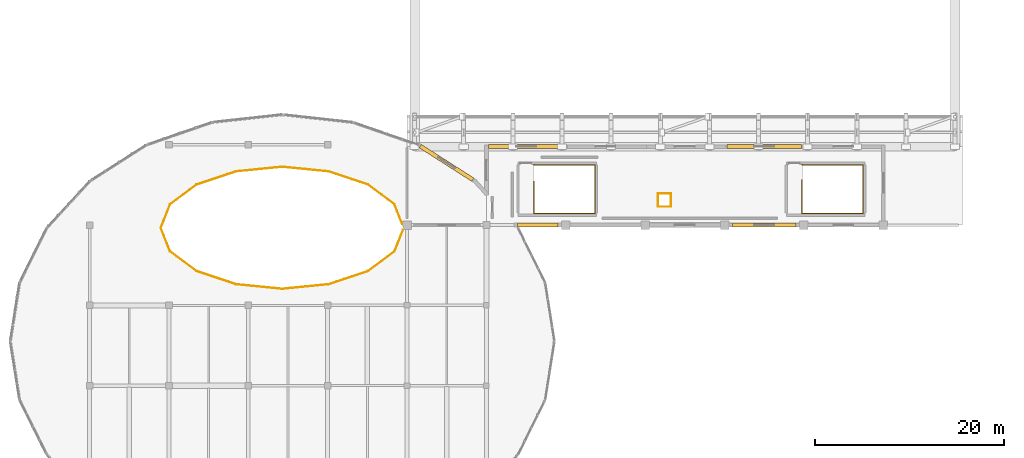
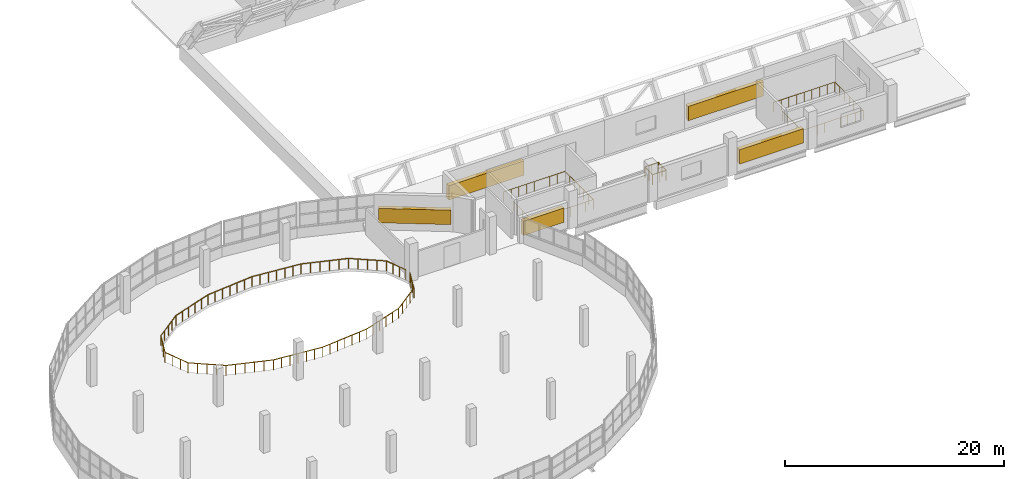
# One storey, part 48 of 52: 6 railings, 5 coverings.
"""IFC4 building model written with IfcOpenShell, lengths in metres."""

from ifc_helpers import new_model, si_unit, direction, frame, origin, origin_2d, place, context, subcontext, project, spatial, rectangle, circle, extrude, material, layer, layer_set, type_object, element, save


model = new_model("IFC4")

# Units and contexts
model_context = context("Model", 3, precision=1e-05, world=origin(), true_north=direction((0.0, 1.0)))
body_context = subcontext(model_context, "Body", "Model", "MODEL_VIEW")
ifc_project = project(units=[si_unit("LENGTHUNIT", "METRE"), si_unit("AREAUNIT", "SQUARE_METRE"), si_unit("VOLUMEUNIT", "CUBIC_METRE"), si_unit("PLANEANGLEUNIT", "RADIAN"), si_unit("MASSUNIT", "GRAM", prefix="KILO")], contexts=[model_context])

# Site, building, storey
site_placement = place(None, origin())
site = spatial("IfcSite", under=ifc_project, at=site_placement, CompositionType="ELEMENT")
building_placement = place(site_placement, origin())
building = spatial("IfcBuilding", under=site, at=building_placement, Name="Solvento Point Concert Hall", CompositionType="ELEMENT")
storey_placement = place(building_placement, frame((0.0, 0.0, 19.5)))
storey = spatial("IfcBuildingStorey", under=building, at=storey_placement, Name="L04", CompositionType="ELEMENT", Elevation=19.5)

# Railings
ifc_material_1 = material(Name="Brushed Stainless Steel Balustrade", Category="steel")
railing_type_1 = type_object("IfcRailingType", Name="StairWellGuard_1100", PredefinedType="BALUSTRADE", material=ifc_material_1)
railing_1_placement = place(storey_placement, frame((87.820068359375, 47.139892578125, 0.0)))
element("IfcRailing", 1, at=railing_1_placement, inside=storey, type_object=railing_type_1, Name="Stairwell guard GR-02 ST-06 L04", PredefinedType="BALUSTRADE", context=body_context, shape_type="SweptSolid", body=[
    extrude(circle(Radius=0.02392578125, at=origin_2d()), frame((0.0, 0.0, 1.09619140625), z_axis=(0.0, -1.0, 0.0), x_axis=(1.0, 0.0, 0.0)), (0.0, 0.0, 1.0), 3.419921875),
    extrude(circle(Radius=0.02392578125, at=origin_2d()), frame((0.0, -3.419921875, 1.09619140625), z_axis=(1.0, 0.0, 0.0), x_axis=(0.0, 1.0, 0.0)), (0.0, 0.0, 1.0), 6.4599609375),
    extrude(circle(Radius=0.02392578125, at=origin_2d()), frame((6.4599609375, -3.419921875, 1.09619140625), z_axis=(0.0, 1.0, 0.0), x_axis=(-1.0, 0.0, 0.0)), (0.0, 0.0, 1.0), 5.159912109375),
    extrude(circle(Radius=0.02392578125, at=origin_2d()), frame((6.4599609375, 1.739990234375, 1.09619140625), z_axis=(-1.0, 0.0, 0.0), x_axis=(0.0, -1.0, 0.0)), (0.0, 0.0, 1.0), 6.4599609375),
    extrude(circle(Radius=0.02392578125, at=origin_2d()), frame((0.0, 1.739990234375, 1.09619140625), z_axis=(0.0, 1.0, 0.0), x_axis=(-1.0, 0.0, 0.0)), (0.0, 0.0, 1.0), 0.02001953125),
    extrude(circle(Radius=0.02099609375, at=origin_2d()), origin(), (0.0, 0.0, 1.0), 1.072021484375),
    extrude(circle(Radius=0.02099609375, at=origin_2d()), frame((0.0, -0.85498046875, 0.0)), (0.0, 0.0, 1.0), 1.072021484375),
    extrude(circle(Radius=0.02099609375, at=origin_2d()), frame((0.0, -1.7099609375, 0.0)), (0.0, 0.0, 1.0), 1.072021484375),
    extrude(circle(Radius=0.02099609375, at=origin_2d()), frame((0.0, -2.56494140625, 0.0)), (0.0, 0.0, 1.0), 1.072021484375),
    extrude(circle(Radius=0.02099609375, at=origin_2d()), frame((0.0, -3.419921875, 0.0)), (0.0, 0.0, 1.0), 1.072021484375),
    extrude(circle(Radius=0.02099609375, at=origin_2d()), frame((0.8076171875, -3.419921875, 0.0)), (0.0, 0.0, 1.0), 1.072021484375),
    extrude(circle(Radius=0.02099609375, at=origin_2d()), frame((1.614990234375, -3.419921875, 0.0)), (0.0, 0.0, 1.0), 1.072021484375),
    extrude(circle(Radius=0.02099609375, at=origin_2d()), frame((2.42236328125, -3.419921875, 0.0)), (0.0, 0.0, 1.0), 1.072021484375),
    extrude(circle(Radius=0.02099609375, at=origin_2d()), frame((3.22998046875, -3.419921875, 0.0)), (0.0, 0.0, 1.0), 1.072021484375),
    extrude(circle(Radius=0.02099609375, at=origin_2d()), frame((4.03759765625, -3.419921875, 0.0)), (0.0, 0.0, 1.0), 1.072021484375),
    extrude(circle(Radius=0.02099609375, at=origin_2d()), frame((4.844970703125, -3.419921875, 0.0)), (0.0, 0.0, 1.0), 1.072021484375),
    extrude(circle(Radius=0.02099609375, at=origin_2d()), frame((5.65234375, -3.419921875, 0.0)), (0.0, 0.0, 1.0), 1.072021484375),
    extrude(circle(Radius=0.02099609375, at=origin_2d()), frame((6.4599609375, -3.419921875, 0.0)), (0.0, 0.0, 1.0), 1.072021484375),
    extrude(circle(Radius=0.02099609375, at=origin_2d()), frame((6.4599609375, -2.56005859375, 0.0)), (0.0, 0.0, 1.0), 1.072021484375),
    extrude(circle(Radius=0.02099609375, at=origin_2d()), frame((6.4599609375, -1.699951171875, 0.0)), (0.0, 0.0, 1.0), 1.072021484375),
    extrude(circle(Radius=0.02099609375, at=origin_2d()), frame((6.4599609375, -0.83984375, 0.0)), (0.0, 0.0, 1.0), 1.072021484375),
    extrude(circle(Radius=0.02099609375, at=origin_2d()), frame((6.4599609375, 0.02001953125, 0.0)), (0.0, 0.0, 1.0), 1.072021484375),
    extrude(circle(Radius=0.02099609375, at=origin_2d()), frame((6.4599609375, 0.8798828125, 0.0)), (0.0, 0.0, 1.0), 1.072021484375),
    extrude(circle(Radius=0.02099609375, at=origin_2d()), frame((6.4599609375, 1.739990234375, 0.0)), (0.0, 0.0, 1.0), 1.072021484375),
    extrude(circle(Radius=0.02099609375, at=origin_2d()), frame((5.65234375, 1.739990234375, 0.0)), (0.0, 0.0, 1.0), 1.072021484375),
    extrude(circle(Radius=0.02099609375, at=origin_2d()), frame((4.844970703125, 1.739990234375, 0.0)), (0.0, 0.0, 1.0), 1.072021484375),
    extrude(circle(Radius=0.02099609375, at=origin_2d()), frame((4.03759765625, 1.739990234375, 0.0)), (0.0, 0.0, 1.0), 1.072021484375),
    extrude(circle(Radius=0.02099609375, at=origin_2d()), frame((3.22998046875, 1.739990234375, 0.0)), (0.0, 0.0, 1.0), 1.072021484375),
    extrude(circle(Radius=0.02099609375, at=origin_2d()), frame((2.42236328125, 1.739990234375, 0.0)), (0.0, 0.0, 1.0), 1.072021484375),
    extrude(circle(Radius=0.02099609375, at=origin_2d()), frame((1.614990234375, 1.739990234375, 0.0)), (0.0, 0.0, 1.0), 1.072021484375),
    extrude(circle(Radius=0.02099609375, at=origin_2d()), frame((0.8076171875, 1.739990234375, 0.0)), (0.0, 0.0, 1.0), 1.072021484375),
    extrude(circle(Radius=0.02099609375, at=origin_2d()), frame((0.0, 1.739990234375, 0.0)), (0.0, 0.0, 1.0), 1.072021484375),
    extrude(circle(Radius=0.02099609375, at=origin_2d()), frame((0.0, 1.760009765625, 0.0)), (0.0, 0.0, 1.0), 1.072021484375),
])
railing_2_placement = place(storey_placement, frame((116.219970703125, 47.300048828125, 0.0)))
element("IfcRailing", 2, at=railing_2_placement, inside=storey, type_object=railing_type_1, Name="Stairwell guard GR-02 ST-07 L04", PredefinedType="BALUSTRADE", context=body_context, shape_type="SweptSolid", body=[
    extrude(circle(Radius=0.02392578125, at=origin_2d()), frame((0.0, 0.0, 1.09619140625), z_axis=(0.0, -1.0, 0.0), x_axis=(1.0, 0.0, 0.0)), (0.0, 0.0, 1.0), 3.580078125),
    extrude(circle(Radius=0.02392578125, at=origin_2d()), frame((0.0, -3.580078125, 1.09619140625), z_axis=(1.0, 0.0, 0.0), x_axis=(0.0, 1.0, 0.0)), (0.0, 0.0, 1.0), 6.4599609375),
    extrude(circle(Radius=0.02392578125, at=origin_2d()), frame((6.4599609375, -3.580078125, 1.09619140625), z_axis=(0.0, 1.0, 0.0), x_axis=(-1.0, 0.0, 0.0)), (0.0, 0.0, 1.0), 5.159912109375),
    extrude(circle(Radius=0.02392578125, at=origin_2d()), frame((6.4599609375, 1.579833984375, 1.09619140625), z_axis=(-1.0, 0.0, 0.0), x_axis=(0.0, -1.0, 0.0)), (0.0, 0.0, 1.0), 6.4599609375),
    extrude(circle(Radius=0.02392578125, at=origin_2d()), frame((0.0, 1.579833984375, 1.09619140625), z_axis=(0.0, 1.0, 0.0), x_axis=(-1.0, 0.0, 0.0)), (0.0, 0.0, 1.0), 0.02001953125),
    extrude(circle(Radius=0.02099609375, at=origin_2d()), origin(), (0.0, 0.0, 1.0), 1.072021484375),
    extrude(circle(Radius=0.02099609375, at=origin_2d()), frame((0.0, -0.89501953125, 0.0)), (0.0, 0.0, 1.0), 1.072021484375),
    extrude(circle(Radius=0.02099609375, at=origin_2d()), frame((0.0, -1.7900390625, 0.0)), (0.0, 0.0, 1.0), 1.072021484375),
    extrude(circle(Radius=0.02099609375, at=origin_2d()), frame((0.0, -2.68505859375, 0.0)), (0.0, 0.0, 1.0), 1.072021484375),
    extrude(circle(Radius=0.02099609375, at=origin_2d()), frame((0.0, -3.580078125, 0.0)), (0.0, 0.0, 1.0), 1.072021484375),
    extrude(circle(Radius=0.02099609375, at=origin_2d()), frame((0.8076171875, -3.580078125, 0.0)), (0.0, 0.0, 1.0), 1.072021484375),
    extrude(circle(Radius=0.02099609375, at=origin_2d()), frame((1.614990234375, -3.580078125, 0.0)), (0.0, 0.0, 1.0), 1.072021484375),
    extrude(circle(Radius=0.02099609375, at=origin_2d()), frame((2.42236328125, -3.580078125, 0.0)), (0.0, 0.0, 1.0), 1.072021484375),
    extrude(circle(Radius=0.02099609375, at=origin_2d()), frame((3.22998046875, -3.580078125, 0.0)), (0.0, 0.0, 1.0), 1.072021484375),
    extrude(circle(Radius=0.02099609375, at=origin_2d()), frame((4.03759765625, -3.580078125, 0.0)), (0.0, 0.0, 1.0), 1.072021484375),
    extrude(circle(Radius=0.02099609375, at=origin_2d()), frame((4.844970703125, -3.580078125, 0.0)), (0.0, 0.0, 1.0), 1.072021484375),
    extrude(circle(Radius=0.02099609375, at=origin_2d()), frame((5.65234375, -3.580078125, 0.0)), (0.0, 0.0, 1.0), 1.072021484375),
    extrude(circle(Radius=0.02099609375, at=origin_2d()), frame((6.4599609375, -3.580078125, 0.0)), (0.0, 0.0, 1.0), 1.072021484375),
    extrude(circle(Radius=0.02099609375, at=origin_2d()), frame((6.4599609375, -2.72021484375, 0.0)), (0.0, 0.0, 1.0), 1.072021484375),
    extrude(circle(Radius=0.02099609375, at=origin_2d()), frame((6.4599609375, -1.860107421875, 0.0)), (0.0, 0.0, 1.0), 1.072021484375),
    extrude(circle(Radius=0.02099609375, at=origin_2d()), frame((6.4599609375, -1.0, 0.0)), (0.0, 0.0, 1.0), 1.072021484375),
    extrude(circle(Radius=0.02099609375, at=origin_2d()), frame((6.4599609375, -0.14013671875, 0.0)), (0.0, 0.0, 1.0), 1.072021484375),
    extrude(circle(Radius=0.02099609375, at=origin_2d()), frame((6.4599609375, 0.7197265625, 0.0)), (0.0, 0.0, 1.0), 1.072021484375),
    extrude(circle(Radius=0.02099609375, at=origin_2d()), frame((6.4599609375, 1.579833984375, 0.0)), (0.0, 0.0, 1.0), 1.072021484375),
    extrude(circle(Radius=0.02099609375, at=origin_2d()), frame((5.65234375, 1.579833984375, 0.0)), (0.0, 0.0, 1.0), 1.072021484375),
    extrude(circle(Radius=0.02099609375, at=origin_2d()), frame((4.844970703125, 1.579833984375, 0.0)), (0.0, 0.0, 1.0), 1.072021484375),
    extrude(circle(Radius=0.02099609375, at=origin_2d()), frame((4.03759765625, 1.579833984375, 0.0)), (0.0, 0.0, 1.0), 1.072021484375),
    extrude(circle(Radius=0.02099609375, at=origin_2d()), frame((3.22998046875, 1.579833984375, 0.0)), (0.0, 0.0, 1.0), 1.072021484375),
    extrude(circle(Radius=0.02099609375, at=origin_2d()), frame((2.42236328125, 1.579833984375, 0.0)), (0.0, 0.0, 1.0), 1.072021484375),
    extrude(circle(Radius=0.02099609375, at=origin_2d()), frame((1.614990234375, 1.579833984375, 0.0)), (0.0, 0.0, 1.0), 1.072021484375),
    extrude(circle(Radius=0.02099609375, at=origin_2d()), frame((0.8076171875, 1.579833984375, 0.0)), (0.0, 0.0, 1.0), 1.072021484375),
    extrude(circle(Radius=0.02099609375, at=origin_2d()), frame((0.0, 1.579833984375, 0.0)), (0.0, 0.0, 1.0), 1.072021484375),
    extrude(circle(Radius=0.02099609375, at=origin_2d()), frame((0.0, 1.599853515625, 0.0)), (0.0, 0.0, 1.0), 1.072021484375),
])

# Coverings
ifc_material_2 = material(Name="Precast concrete C45/55", Category="concrete")
ifc_layer = layer(ifc_material_2, 0.159912109375)
ifc_layer_set = layer_set([ifc_layer], Name="Precast concrete C45/55")
covering_type = type_object("IfcCoveringType", Name="StormScreen_Precast", PredefinedType="CLADDING", material=ifc_layer_set)
covering_1_placement = place(storey_placement, frame((78.582275390625, 49.07763671875, 0.800048828125), z_axis=(0.0, 0.0, 1.0), x_axis=(0.84248906802, -0.538713439843, 0.0)))
element("IfcCovering", 3, at=covering_1_placement, inside=storey, type_object=covering_type, Name="Perforated precast storm-baffle screen SCR-01", PredefinedType="CLADDING", context=body_context, shape_type="SweptSolid", body=[
    extrude(rectangle(XDim=6.599853515625, YDim=0.419921875, at=origin_2d()), origin(), (0.0, 0.0, 1.0), 1.60009765625),
])
for number, where, z_axis, x_axis, name in (
    (4, (87.0, 50.800048828125, 0.800048828125), (0.0, 0.0, 1.0), (1.0, 0.0, 0.0), "Perforated precast storm-baffle screen SCR-01"),
    (5, (112.199951171875, 50.800048828125, 0.800048828125), (0.0, 0.0, 1.0), (1.0, 0.0, 0.0), "Perforated precast storm-baffle screen SCR-01"),
):
    element("IfcCovering", number, at=place(storey_placement, frame(where, z_axis=z_axis, x_axis=x_axis)), inside=storey, type_object=covering_type, Name=name, PredefinedType="CLADDING", context=body_context, shape_type="SweptSolid", body=[
        extrude(rectangle(XDim=7.919921875, YDim=0.419921875, at=origin_2d()), origin(), (0.0, 0.0, 1.0), 1.60009765625),
    ])
covering_2_placement = place(storey_placement, frame((88.23779296875, 42.5, 0.800048828125), z_axis=(0.0, 0.0, 1.0), x_axis=(-1.0, 0.0, 0.0)))
element("IfcCovering", 6, at=covering_2_placement, inside=storey, type_object=covering_type, Name="Perforated precast storm-baffle screen SCR-01", PredefinedType="CLADDING", context=body_context, shape_type="SweptSolid", body=[
    extrude(rectangle(XDim=4.2646484375, YDim=0.419921875, at=origin_2d()), origin(), (0.0, 0.0, 1.0), 1.60009765625),
])
covering_3_placement = place(storey_placement, frame((112.199951171875, 42.5, 0.800048828125), z_axis=(0.0, 0.0, 1.0), x_axis=(-1.0, 0.0, 0.0)))
element("IfcCovering", 7, at=covering_3_placement, inside=storey, type_object=covering_type, Name="Perforated precast storm-baffle screen SCR-01", PredefinedType="CLADDING", context=body_context, shape_type="SweptSolid", body=[
    extrude(rectangle(XDim=6.739990234375, YDim=0.419921875, at=origin_2d()), origin(), (0.0, 0.0, 1.0), 1.60009765625),
])

# Railings
ifc_material_3 = material(Name="Brushed Stainless Steel Balustrade", Category="steel")
railing_type_2 = type_object("IfcRailingType", Name="TerraceBalustrade_1100", PredefinedType="BALUSTRADE", material=ifc_material_3)
railing_3_placement = place(storey_placement, frame((102.360107421875, 44.469970703125, 0.0)))
element("IfcRailing", 8, at=railing_3_placement, inside=storey, type_object=railing_type_2, Name="Guard balustrade GR-01 L04", PredefinedType="BALUSTRADE", context=body_context, shape_type="SweptSolid", body=[
    extrude(circle(Radius=0.02392578125, at=origin_2d()), frame((0.0, 0.0, 1.09619140625), z_axis=(0.0, 1.0, 0.0), x_axis=(-1.0, 0.0, 0.0)), (0.0, 0.0, 1.0), 1.39013671875),
    extrude(circle(Radius=0.02392578125, at=origin_2d()), frame((0.0, 1.39013671875, 1.09619140625), z_axis=(-1.0, 0.0, 0.0), x_axis=(0.0, -1.0, 0.0)), (0.0, 0.0, 1.0), 1.39013671875),
    extrude(circle(Radius=0.02099609375, at=origin_2d()), origin(), (0.0, 0.0, 1.0), 1.072021484375),
    extrude(circle(Radius=0.02099609375, at=origin_2d()), frame((0.0, 0.695068359375, 0.0)), (0.0, 0.0, 1.0), 1.072021484375),
    extrude(circle(Radius=0.02099609375, at=origin_2d()), frame((0.0, 1.39013671875, 0.0)), (0.0, 0.0, 1.0), 1.072021484375),
    extrude(circle(Radius=0.02099609375, at=origin_2d()), frame((-0.695068359375, 1.39013671875, 0.0)), (0.0, 0.0, 1.0), 1.072021484375),
    extrude(circle(Radius=0.02099609375, at=origin_2d()), frame((-1.39013671875, 1.39013671875, 0.0)), (0.0, 0.0, 1.0), 1.072021484375),
])
railing_4_placement = place(storey_placement, frame((100.93994140625, 45.830078125, 0.0)))
element("IfcRailing", 9, at=railing_4_placement, inside=storey, type_object=railing_type_2, Name="Guard balustrade GR-01 L04", PredefinedType="BALUSTRADE", context=body_context, shape_type="SweptSolid", body=[
    extrude(circle(Radius=0.02392578125, at=origin_2d()), frame((0.0, 0.0, 1.09619140625), z_axis=(0.0, -1.0, 0.0), x_axis=(1.0, 0.0, 0.0)), (0.0, 0.0, 1.0), 1.39013671875),
    extrude(circle(Radius=0.02392578125, at=origin_2d()), frame((0.0, -1.39013671875, 1.09619140625), z_axis=(1.0, 0.0, 0.0), x_axis=(0.0, 1.0, 0.0)), (0.0, 0.0, 1.0), 1.39013671875),
    extrude(circle(Radius=0.02099609375, at=origin_2d()), origin(), (0.0, 0.0, 1.0), 1.072021484375),
    extrude(circle(Radius=0.02099609375, at=origin_2d()), frame((0.0, -0.695068359375, 0.0)), (0.0, 0.0, 1.0), 1.072021484375),
    extrude(circle(Radius=0.02099609375, at=origin_2d()), frame((0.0, -1.39013671875, 0.0)), (0.0, 0.0, 1.0), 1.072021484375),
    extrude(circle(Radius=0.02099609375, at=origin_2d()), frame((0.695068359375, -1.39013671875, 0.0)), (0.0, 0.0, 1.0), 1.072021484375),
    extrude(circle(Radius=0.02099609375, at=origin_2d()), frame((1.39013671875, -1.39013671875, 0.0)), (0.0, 0.0, 1.0), 1.072021484375),
])
railing_5_placement = place(storey_placement, frame((52.120849609375, 46.779296875, 0.0)))
element("IfcRailing", 10, at=railing_5_placement, inside=storey, type_object=railing_type_2, Name="Guard balustrade GR-01 L04", PredefinedType="BALUSTRADE", context=body_context, shape_type="SweptSolid", body=[
    extrude(circle(Radius=0.02392578125, at=origin_2d()), frame((0.0, 0.0, 1.09619140625), z_axis=(-0.800662244724, -0.599115990333, 0.0), x_axis=(0.599115990333, -0.800662244724, 0.0)), (0.0, 0.0, 1.0), 3.4921875),
    extrude(circle(Radius=0.02392578125, at=origin_2d()), frame((-2.796142578125, -2.09228515625, 1.09619140625), z_axis=(-0.369597166612, -0.92919208694, 0.0), x_axis=(0.92919208694, -0.369597166612, 0.0)), (0.0, 0.0, 1.0), 2.676513671875),
    extrude(circle(Radius=0.02392578125, at=origin_2d()), frame((-3.785400390625, -4.579345703125, 1.09619140625), z_axis=(0.369597166612, -0.92919208694, 0.0), x_axis=(0.92919208694, 0.369597166612, 0.0)), (0.0, 0.0, 1.0), 2.676513671875),
    extrude(circle(Radius=0.02392578125, at=origin_2d()), frame((-2.796142578125, -7.06640625, 1.09619140625), z_axis=(0.800662244724, -0.599115990333, 0.0), x_axis=(0.599115990333, 0.800662244724, 0.0)), (0.0, 0.0, 1.0), 3.4921875),
    extrude(circle(Radius=0.02392578125, at=origin_2d()), frame((0.0, -9.15869140625, 1.09619140625), z_axis=(0.948483111882, -0.31682769209, 0.0), x_axis=(0.31682769209, 0.948483111882, 0.0)), (0.0, 0.0, 1.0), 4.39453125),
    extrude(circle(Radius=0.02392578125, at=origin_2d()), frame((4.168212890625, -10.551025390625, 1.09619140625), z_axis=(0.995088486481, -0.098989413942, 0.0), x_axis=(0.098989413942, 0.995088486481, 0.0)), (0.0, 0.0, 1.0), 4.93505859375),
    extrude(circle(Radius=0.02392578125, at=origin_2d()), frame((9.0791015625, -11.03955078125, 1.09619140625), z_axis=(0.995088486481, 0.098989413942, 0.0), x_axis=(-0.098989413942, 0.995088486481, 0.0)), (0.0, 0.0, 1.0), 4.93505859375),
    extrude(circle(Radius=0.02392578125, at=origin_2d()), frame((13.989990234375, -10.551025390625, 1.09619140625), z_axis=(0.948488687996, 0.316810998456, 0.0), x_axis=(-0.316810998456, 0.948488687996, 0.0)), (0.0, 0.0, 1.0), 4.394775390625),
    extrude(circle(Radius=0.02392578125, at=origin_2d()), frame((18.158447265625, -9.15869140625, 1.09619140625), z_axis=(0.800637149656, 0.59914952607, 0.0), x_axis=(-0.59914952607, 0.800637149656, 0.0)), (0.0, 0.0, 1.0), 3.4921875),
    extrude(circle(Radius=0.02392578125, at=origin_2d()), frame((20.954345703125, -7.06640625, 1.09619140625), z_axis=(0.369662845052, 0.929165959874, 0.0), x_axis=(-0.929165959874, 0.369662845052, 0.0)), (0.0, 0.0, 1.0), 2.46142578125),
    extrude(circle(Radius=0.02099609375, at=origin_2d()), origin(), (0.0, 0.0, 1.0), 1.072021484375),
    extrude(circle(Radius=0.02099609375, at=origin_2d()), frame((-0.698974609375, -0.52294921875, 0.0)), (0.0, 0.0, 1.0), 1.072021484375),
    extrude(circle(Radius=0.02099609375, at=origin_2d()), frame((-1.39794921875, -1.046142578125, 0.0)), (0.0, 0.0, 1.0), 1.072021484375),
    extrude(circle(Radius=0.02099609375, at=origin_2d()), frame((-2.09716796875, -1.5693359375, 0.0)), (0.0, 0.0, 1.0), 1.072021484375),
    extrude(circle(Radius=0.02099609375, at=origin_2d()), frame((-2.796142578125, -2.09228515625, 0.0)), (0.0, 0.0, 1.0), 1.072021484375),
    extrude(circle(Radius=0.02099609375, at=origin_2d()), frame((-3.1259765625, -2.92138671875, 0.0)), (0.0, 0.0, 1.0), 1.072021484375),
    extrude(circle(Radius=0.02099609375, at=origin_2d()), frame((-3.45556640625, -3.750244140625, 0.0)), (0.0, 0.0, 1.0), 1.072021484375),
    extrude(circle(Radius=0.02099609375, at=origin_2d()), frame((-3.785400390625, -4.579345703125, 0.0)), (0.0, 0.0, 1.0), 1.072021484375),
    extrude(circle(Radius=0.02099609375, at=origin_2d()), frame((-3.45556640625, -5.408447265625, 0.0)), (0.0, 0.0, 1.0), 1.072021484375),
    extrude(circle(Radius=0.02099609375, at=origin_2d()), frame((-3.1259765625, -6.2373046875, 0.0)), (0.0, 0.0, 1.0), 1.072021484375),
    extrude(circle(Radius=0.02099609375, at=origin_2d()), frame((-2.796142578125, -7.06640625, 0.0)), (0.0, 0.0, 1.0), 1.072021484375),
    extrude(circle(Radius=0.02099609375, at=origin_2d()), frame((-2.09716796875, -7.58935546875, 0.0)), (0.0, 0.0, 1.0), 1.072021484375),
    extrude(circle(Radius=0.02099609375, at=origin_2d()), frame((-1.39794921875, -8.112548828125, 0.0)), (0.0, 0.0, 1.0), 1.072021484375),
    extrude(circle(Radius=0.02099609375, at=origin_2d()), frame((-0.698974609375, -8.6357421875, 0.0)), (0.0, 0.0, 1.0), 1.072021484375),
    extrude(circle(Radius=0.02099609375, at=origin_2d()), frame((0.0, -9.15869140625, 0.0)), (0.0, 0.0, 1.0), 1.072021484375),
    extrude(circle(Radius=0.02099609375, at=origin_2d()), frame((0.833740234375, -9.437255859375, 0.0)), (0.0, 0.0, 1.0), 1.072021484375),
    extrude(circle(Radius=0.02099609375, at=origin_2d()), frame((1.667236328125, -9.715576171875, 0.0)), (0.0, 0.0, 1.0), 1.072021484375),
    extrude(circle(Radius=0.02099609375, at=origin_2d()), frame((2.5009765625, -9.994140625, 0.0)), (0.0, 0.0, 1.0), 1.072021484375),
    extrude(circle(Radius=0.02099609375, at=origin_2d()), frame((3.33447265625, -10.2724609375, 0.0)), (0.0, 0.0, 1.0), 1.072021484375),
    extrude(circle(Radius=0.02099609375, at=origin_2d()), frame((4.168212890625, -10.551025390625, 0.0)), (0.0, 0.0, 1.0), 1.072021484375),
    extrude(circle(Radius=0.02099609375, at=origin_2d()), frame((4.98681640625, -10.63232421875, 0.0)), (0.0, 0.0, 1.0), 1.072021484375),
    extrude(circle(Radius=0.02099609375, at=origin_2d()), frame((5.80517578125, -10.7138671875, 0.0)), (0.0, 0.0, 1.0), 1.072021484375),
    extrude(circle(Radius=0.02099609375, at=origin_2d()), frame((6.62353515625, -10.79541015625, 0.0)), (0.0, 0.0, 1.0), 1.072021484375),
    extrude(circle(Radius=0.02099609375, at=origin_2d()), frame((7.442138671875, -10.876708984375, 0.0)), (0.0, 0.0, 1.0), 1.072021484375),
    extrude(circle(Radius=0.02099609375, at=origin_2d()), frame((8.2607421875, -10.9580078125, 0.0)), (0.0, 0.0, 1.0), 1.072021484375),
    extrude(circle(Radius=0.02099609375, at=origin_2d()), frame((9.0791015625, -11.03955078125, 0.0)), (0.0, 0.0, 1.0), 1.072021484375),
    extrude(circle(Radius=0.02099609375, at=origin_2d()), frame((9.8974609375, -10.9580078125, 0.0)), (0.0, 0.0, 1.0), 1.072021484375),
    extrude(circle(Radius=0.02099609375, at=origin_2d()), frame((10.716064453125, -10.876708984375, 0.0)), (0.0, 0.0, 1.0), 1.072021484375),
    extrude(circle(Radius=0.02099609375, at=origin_2d()), frame((11.53466796875, -10.79541015625, 0.0)), (0.0, 0.0, 1.0), 1.072021484375),
    extrude(circle(Radius=0.02099609375, at=origin_2d()), frame((12.35302734375, -10.7138671875, 0.0)), (0.0, 0.0, 1.0), 1.072021484375),
    extrude(circle(Radius=0.02099609375, at=origin_2d()), frame((13.17138671875, -10.63232421875, 0.0)), (0.0, 0.0, 1.0), 1.072021484375),
    extrude(circle(Radius=0.02099609375, at=origin_2d()), frame((13.989990234375, -10.551025390625, 0.0)), (0.0, 0.0, 1.0), 1.072021484375),
    extrude(circle(Radius=0.02099609375, at=origin_2d()), frame((14.82373046875, -10.2724609375, 0.0)), (0.0, 0.0, 1.0), 1.072021484375),
    extrude(circle(Radius=0.02099609375, at=origin_2d()), frame((15.657470703125, -9.994140625, 0.0)), (0.0, 0.0, 1.0), 1.072021484375),
    extrude(circle(Radius=0.02099609375, at=origin_2d()), frame((16.490966796875, -9.715576171875, 0.0)), (0.0, 0.0, 1.0), 1.072021484375),
    extrude(circle(Radius=0.02099609375, at=origin_2d()), frame((17.32470703125, -9.437255859375, 0.0)), (0.0, 0.0, 1.0), 1.072021484375),
    extrude(circle(Radius=0.02099609375, at=origin_2d()), frame((18.158447265625, -9.15869140625, 0.0)), (0.0, 0.0, 1.0), 1.072021484375),
    extrude(circle(Radius=0.02099609375, at=origin_2d()), frame((18.857421875, -8.6357421875, 0.0)), (0.0, 0.0, 1.0), 1.072021484375),
    extrude(circle(Radius=0.02099609375, at=origin_2d()), frame((19.556396484375, -8.112548828125, 0.0)), (0.0, 0.0, 1.0), 1.072021484375),
    extrude(circle(Radius=0.02099609375, at=origin_2d()), frame((20.25537109375, -7.58935546875, 0.0)), (0.0, 0.0, 1.0), 1.072021484375),
    extrude(circle(Radius=0.02099609375, at=origin_2d()), frame((20.954345703125, -7.06640625, 0.0)), (0.0, 0.0, 1.0), 1.072021484375),
    extrude(circle(Radius=0.02099609375, at=origin_2d()), frame((21.257568359375, -6.303955078125, 0.0)), (0.0, 0.0, 1.0), 1.072021484375),
    extrude(circle(Radius=0.02099609375, at=origin_2d()), frame((21.56103515625, -5.541748046875, 0.0)), (0.0, 0.0, 1.0), 1.072021484375),
    extrude(circle(Radius=0.02099609375, at=origin_2d()), frame((21.8642578125, -4.779296875, 0.0)), (0.0, 0.0, 1.0), 1.072021484375),
])
railing_6_placement = place(storey_placement, frame((73.89990234375, 42.61376953125, 0.0)))
element("IfcRailing", 11, at=railing_6_placement, inside=storey, type_object=railing_type_2, Name="Guard balustrade GR-01 L04", PredefinedType="BALUSTRADE", context=body_context, shape_type="SweptSolid", body=[
    extrude(circle(Radius=0.02392578125, at=origin_2d()), frame((0.0, 0.0, 1.09619140625), z_axis=(-0.369616660008, 0.929184332974, 0.0), x_axis=(-0.929184332974, -0.369616660008, 0.0)), (0.0, 0.0, 1.0), 2.231201171875),
    extrude(circle(Radius=0.02392578125, at=origin_2d()), frame((-0.82470703125, 2.0732421875, 1.09619140625), z_axis=(-0.800637149656, 0.59914952607, 0.0), x_axis=(-0.59914952607, -0.800637149656, 0.0)), (0.0, 0.0, 1.0), 3.4921875),
    extrude(circle(Radius=0.02392578125, at=origin_2d()), frame((-3.62060546875, 4.16552734375, 1.09619140625), z_axis=(-0.94847199417, 0.316860973102, 0.0), x_axis=(-0.316860973102, -0.94847199417, 0.0)), (0.0, 0.0, 1.0), 4.39501953125),
    extrude(circle(Radius=0.02392578125, at=origin_2d()), frame((-7.7890625, 5.55810546875, 1.09619140625), z_axis=(-0.995088486481, 0.098989413942, 0.0), x_axis=(-0.098989413942, -0.995088486481, 0.0)), (0.0, 0.0, 1.0), 4.93505859375),
    extrude(circle(Radius=0.02392578125, at=origin_2d()), frame((-12.699951171875, 6.046630859375, 1.09619140625), z_axis=(-0.995088486481, -0.098989413942, 0.0), x_axis=(0.098989413942, -0.995088486481, 0.0)), (0.0, 0.0, 1.0), 4.93505859375),
    extrude(circle(Radius=0.02392578125, at=origin_2d()), frame((-17.61083984375, 5.55810546875, 1.09619140625), z_axis=(-0.948466416394, -0.316877668782, 0.0), x_axis=(0.316877668782, -0.948466416394, 0.0)), (0.0, 0.0, 1.0), 4.394775390625),
    extrude(circle(Radius=0.02099609375, at=origin_2d()), origin(), (0.0, 0.0, 1.0), 1.072021484375),
    extrude(circle(Radius=0.02099609375, at=origin_2d()), frame((-0.27490234375, 0.691162109375, 0.0)), (0.0, 0.0, 1.0), 1.072021484375),
    extrude(circle(Radius=0.02099609375, at=origin_2d()), frame((-0.5498046875, 1.382080078125, 0.0)), (0.0, 0.0, 1.0), 1.072021484375),
    extrude(circle(Radius=0.02099609375, at=origin_2d()), frame((-0.82470703125, 2.0732421875, 0.0)), (0.0, 0.0, 1.0), 1.072021484375),
    extrude(circle(Radius=0.02099609375, at=origin_2d()), frame((-1.523681640625, 2.59619140625, 0.0)), (0.0, 0.0, 1.0), 1.072021484375),
    extrude(circle(Radius=0.02099609375, at=origin_2d()), frame((-2.22265625, 3.119384765625, 0.0)), (0.0, 0.0, 1.0), 1.072021484375),
    extrude(circle(Radius=0.02099609375, at=origin_2d()), frame((-2.921630859375, 3.642578125, 0.0)), (0.0, 0.0, 1.0), 1.072021484375),
    extrude(circle(Radius=0.02099609375, at=origin_2d()), frame((-3.62060546875, 4.16552734375, 0.0)), (0.0, 0.0, 1.0), 1.072021484375),
    extrude(circle(Radius=0.02099609375, at=origin_2d()), frame((-4.454345703125, 4.444091796875, 0.0)), (0.0, 0.0, 1.0), 1.072021484375),
    extrude(circle(Radius=0.02099609375, at=origin_2d()), frame((-5.2880859375, 4.72265625, 0.0)), (0.0, 0.0, 1.0), 1.072021484375),
    extrude(circle(Radius=0.02099609375, at=origin_2d()), frame((-6.12158203125, 5.0009765625, 0.0)), (0.0, 0.0, 1.0), 1.072021484375),
    extrude(circle(Radius=0.02099609375, at=origin_2d()), frame((-6.955322265625, 5.279541015625, 0.0)), (0.0, 0.0, 1.0), 1.072021484375),
    extrude(circle(Radius=0.02099609375, at=origin_2d()), frame((-7.7890625, 5.55810546875, 0.0)), (0.0, 0.0, 1.0), 1.072021484375),
    extrude(circle(Radius=0.02099609375, at=origin_2d()), frame((-8.607421875, 5.6396484375, 0.0)), (0.0, 0.0, 1.0), 1.072021484375),
    extrude(circle(Radius=0.02099609375, at=origin_2d()), frame((-9.426025390625, 5.720947265625, 0.0)), (0.0, 0.0, 1.0), 1.072021484375),
    extrude(circle(Radius=0.02099609375, at=origin_2d()), frame((-10.24462890625, 5.80224609375, 0.0)), (0.0, 0.0, 1.0), 1.072021484375),
    extrude(circle(Radius=0.02099609375, at=origin_2d()), frame((-11.06298828125, 5.8837890625, 0.0)), (0.0, 0.0, 1.0), 1.072021484375),
    extrude(circle(Radius=0.02099609375, at=origin_2d()), frame((-11.88134765625, 5.96533203125, 0.0)), (0.0, 0.0, 1.0), 1.072021484375),
    extrude(circle(Radius=0.02099609375, at=origin_2d()), frame((-12.699951171875, 6.046630859375, 0.0)), (0.0, 0.0, 1.0), 1.072021484375),
    extrude(circle(Radius=0.02099609375, at=origin_2d()), frame((-13.5185546875, 5.96533203125, 0.0)), (0.0, 0.0, 1.0), 1.072021484375),
    extrude(circle(Radius=0.02099609375, at=origin_2d()), frame((-14.3369140625, 5.8837890625, 0.0)), (0.0, 0.0, 1.0), 1.072021484375),
    extrude(circle(Radius=0.02099609375, at=origin_2d()), frame((-15.1552734375, 5.80224609375, 0.0)), (0.0, 0.0, 1.0), 1.072021484375),
    extrude(circle(Radius=0.02099609375, at=origin_2d()), frame((-15.973876953125, 5.720947265625, 0.0)), (0.0, 0.0, 1.0), 1.072021484375),
    extrude(circle(Radius=0.02099609375, at=origin_2d()), frame((-16.79248046875, 5.6396484375, 0.0)), (0.0, 0.0, 1.0), 1.072021484375),
    extrude(circle(Radius=0.02099609375, at=origin_2d()), frame((-17.61083984375, 5.55810546875, 0.0)), (0.0, 0.0, 1.0), 1.072021484375),
    extrude(circle(Radius=0.02099609375, at=origin_2d()), frame((-18.444580078125, 5.279541015625, 0.0)), (0.0, 0.0, 1.0), 1.072021484375),
    extrude(circle(Radius=0.02099609375, at=origin_2d()), frame((-19.278076171875, 5.0009765625, 0.0)), (0.0, 0.0, 1.0), 1.072021484375),
    extrude(circle(Radius=0.02099609375, at=origin_2d()), frame((-20.11181640625, 4.72265625, 0.0)), (0.0, 0.0, 1.0), 1.072021484375),
    extrude(circle(Radius=0.02099609375, at=origin_2d()), frame((-20.9453125, 4.444091796875, 0.0)), (0.0, 0.0, 1.0), 1.072021484375),
    extrude(circle(Radius=0.02099609375, at=origin_2d()), frame((-21.779052734375, 4.16552734375, 0.0)), (0.0, 0.0, 1.0), 1.072021484375),
])

save(model, "model.ifc")
